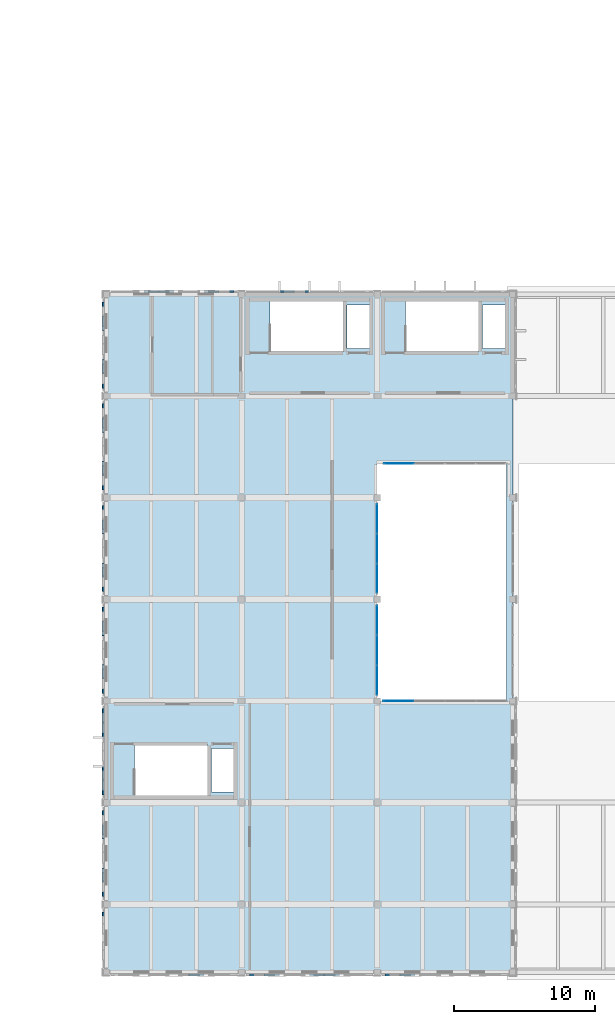
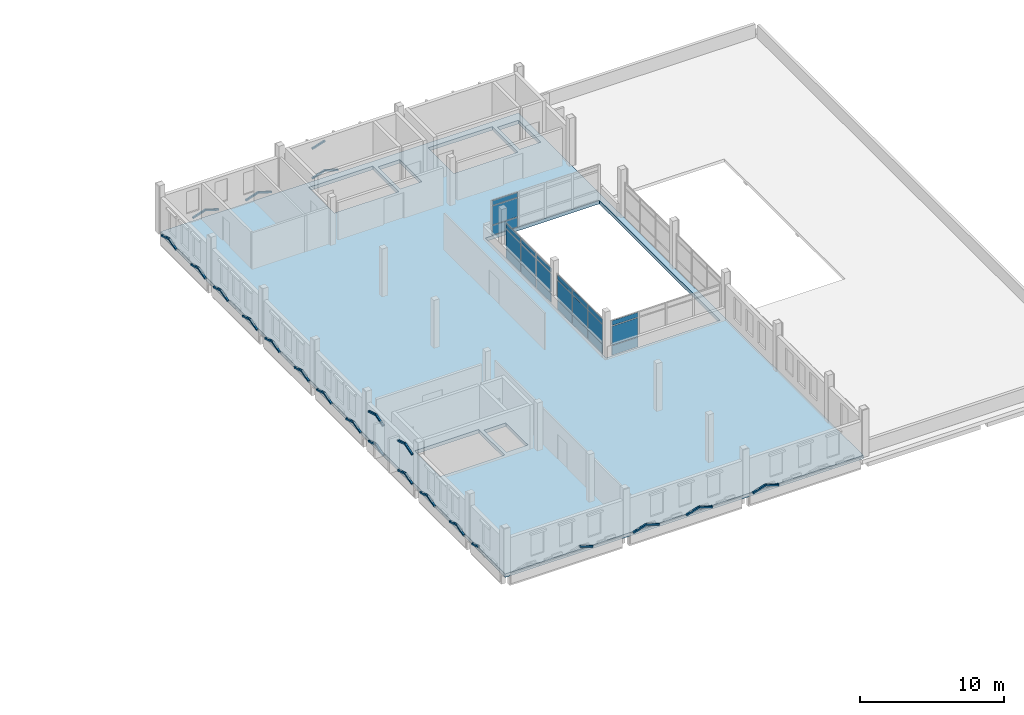
# One storey, part 27 of 50: 67 plates, 1 slab, 4 elements without a shape of their own.
"""IFC4 building model written with IfcOpenShell, lengths in metres."""

from ifc_helpers import new_model, si_unit, direction, frame, origin, origin_2d, place, context, subcontext, project, spatial, polyline, rectangle, hollow_rectangle, outline, extrude, material, layer, layer_set, material_profile, profile_set, type_object, element, aggregate, save


model = new_model("IFC4")

# Units and contexts
model_context = context("Model", 3, precision=1e-05, world=origin(), true_north=direction((0.0, 1.0)))
body_context = subcontext(model_context, "Body", "Model", "MODEL_VIEW")
ifc_project = project(units=[si_unit("LENGTHUNIT", "METRE"), si_unit("AREAUNIT", "SQUARE_METRE"), si_unit("VOLUMEUNIT", "CUBIC_METRE"), si_unit("PLANEANGLEUNIT", "RADIAN"), si_unit("MASSUNIT", "GRAM", prefix="KILO")], contexts=[model_context])

# Site, building, storey
site_placement = place(None, origin())
site = spatial("IfcSite", under=ifc_project, at=site_placement, CompositionType="ELEMENT")
building_placement = place(site_placement, origin())
building = spatial("IfcBuilding", under=site, at=building_placement, Name="Asteropetra Specialist Clinic", CompositionType="ELEMENT")
storey_placement = place(building_placement, frame((0.0, 0.0, 16.659912109375)))
storey = spatial("IfcBuildingStorey", under=building, at=storey_placement, Name="L04", CompositionType="ELEMENT", Elevation=16.659912109375)

# Plates
ifc_material_1 = material(Name="Chevron emerald aluminium 6063-T6", Category="aluminium")
ifc_material_profile = material_profile(ifc_material_1, hollow_rectangle(XDim=0.139892578125, YDim=0.139892578125, WallThickness=0.008056640625, InnerFilletRadius=0.008056640625, OuterFilletRadius=0.01611328125, at=origin_2d()), Name="SHS 140x140x8.0")
ifc_profile_set = profile_set([ifc_material_profile], Name="Chevron emerald aluminium 6063-T6")
plate_type_1 = type_object("IfcPlateType", Name="CHV-RIB-140", PredefinedType="SHEET", material=ifc_profile_set)
for number, where, z_axis, x_axis, name in (
    (1, (111.4638671875, -0.20947265625, 0.41552734375), (0.952035512318, 0.0, -0.305987554135), (0.0, 1.0, 0.0), "Chevron Facade Screen Fin CVR-3537"),
    (2, (114.635009765625, 48.20947265625, 0.080078125), (-0.952035512318, 0.0, 0.305987554135), (0.0, -1.0, 0.0), "Chevron Facade Screen Fin CVR-3538"),
    (3, (113.59130859375, 48.20947265625, 0.41552734375), (-0.952035512318, 0.0, -0.305987554135), (0.0, -1.0, 0.0), "Chevron Facade Screen Fin CVR-3539"),
    (4, (110.3798828125, 48.20947265625, 0.080078125), (-0.952035512318, 0.0, 0.305987554135), (0.0, -1.0, 0.0), "Chevron Facade Screen Fin CVR-3540"),
    (5, (109.336181640625, 48.20947265625, 0.41552734375), (-0.952035512318, 0.0, -0.305987554135), (0.0, -1.0, 0.0), "Chevron Facade Screen Fin CVR-3541"),
):
    element("IfcPlate", number, at=place(storey_placement, frame(where, z_axis=z_axis, x_axis=x_axis)), inside=storey, type_object=plate_type_1, Name=name, PredefinedType="SHEET", context=body_context, shape_type="SweptSolid", body=[
        extrude(hollow_rectangle(XDim=0.139892578125, YDim=0.139892578125, WallThickness=0.008056640625, InnerFilletRadius=0.008056640625, OuterFilletRadius=0.01611328125, at=origin_2d()), origin(), (0.0, 0.0, 1.0), 1.09619140625),
    ])
plate_1_placement = place(storey_placement, frame((115.764892578125, -0.20947265625, 0.080078125), z_axis=(0.952056356577, 0.0, 0.305922692689), x_axis=(0.0, 1.0, 0.0)))
element("IfcPlate", 6, at=plate_1_placement, inside=storey, type_object=plate_type_1, Name="Chevron Facade Screen Fin CVR-3542", PredefinedType="SHEET", context=body_context, shape_type="SweptSolid", body=[
    extrude(hollow_rectangle(XDim=0.139892578125, YDim=0.139892578125, WallThickness=0.008056640625, InnerFilletRadius=0.008056640625, OuterFilletRadius=0.01611328125, at=origin_2d()), origin(), (0.0, 0.0, 1.0), 1.096435546875),
])
for number, where, z_axis, x_axis, name in (
    (7, (116.808837890625, -0.20947265625, 0.41552734375), (0.952035512318, 0.0, -0.305987554135), (0.0, 1.0, 0.0), "Chevron Facade Screen Fin CVR-3543"),
    (8, (120.02001953125, -0.20947265625, 0.080078125), (0.952035512318, 0.0, 0.305987554135), (0.0, 1.0, 0.0), "Chevron Facade Screen Fin CVR-3544"),
    (9, (121.063720703125, -0.20947265625, 0.41552734375), (0.952035512318, 0.0, -0.305987554135), (0.0, 1.0, 0.0), "Chevron Facade Screen Fin CVR-3545"),
    (10, (119.97998046875, 48.20947265625, 0.080078125), (-0.952035512318, 0.0, 0.305987554135), (0.0, -1.0, 0.0), "Chevron Facade Screen Fin CVR-3550"),
    (11, (118.936279296875, 48.20947265625, 0.41552734375), (-0.952035512318, 0.0, -0.305987554135), (0.0, -1.0, 0.0), "Chevron Facade Screen Fin CVR-3551"),
    (12, (118.936279296875, 48.20947265625, 2.935546875), (-0.952035512318, 0.0, -0.305987554135), (0.0, -1.0, 0.0), "Chevron Facade Screen Fin CVR-3553"),
    (13, (125.364990234375, -0.20947265625, 0.080078125), (0.952035512318, 0.0, 0.305987554135), (0.0, 1.0, 0.0), "Chevron Facade Screen Fin CVR-3554"),
    (14, (126.40869140625, -0.20947265625, 0.41552734375), (0.952035512318, 0.0, -0.305987554135), (0.0, 1.0, 0.0), "Chevron Facade Screen Fin CVR-3555"),
):
    element("IfcPlate", number, at=place(storey_placement, frame(where, z_axis=z_axis, x_axis=x_axis)), inside=storey, type_object=plate_type_1, Name=name, PredefinedType="SHEET", context=body_context, shape_type="SweptSolid", body=[
        extrude(hollow_rectangle(XDim=0.139892578125, YDim=0.139892578125, WallThickness=0.008056640625, InnerFilletRadius=0.008056640625, OuterFilletRadius=0.01611328125, at=origin_2d()), origin(), (0.0, 0.0, 1.0), 1.09619140625),
    ])
plate_2_placement = place(storey_placement, frame((105.390380859375, 4.235107421875, 0.080078125), z_axis=(0.0, -0.951809904475, 0.306688613653), x_axis=(1.0, 0.0, 0.0)))
element("IfcPlate", 15, at=plate_2_placement, inside=storey, type_object=plate_type_1, Name="Chevron Facade Screen Fin CVR-3566", PredefinedType="SHEET", context=body_context, shape_type="SweptSolid", body=[
    extrude(hollow_rectangle(XDim=0.139892578125, YDim=0.139892578125, WallThickness=0.008056640625, InnerFilletRadius=0.008056640625, OuterFilletRadius=0.01611328125, at=origin_2d()), origin(), (0.0, 0.0, 1.0), 0.95361328125),
])
plate_3_placement = place(storey_placement, frame((105.390380859375, 11.43505859375, 0.080078125), z_axis=(0.0, -0.951982525722, 0.306152365205), x_axis=(1.0, 0.0, 0.0)))
element("IfcPlate", 16, at=plate_3_placement, inside=storey, type_object=plate_type_1, Name="Chevron Facade Screen Fin CVR-3570", PredefinedType="SHEET", context=body_context, shape_type="SweptSolid", body=[
    extrude(hollow_rectangle(XDim=0.139892578125, YDim=0.139892578125, WallThickness=0.008056640625, InnerFilletRadius=0.008056640625, OuterFilletRadius=0.01611328125, at=origin_2d()), origin(), (0.0, 0.0, 1.0), 1.048583984375),
])
for number, where, z_axis, x_axis, name in (
    (17, (105.390380859375, 10.436767578125, 0.401123046875), (0.0, -0.952004340095, -0.306084524994), (1.0, 0.0, 0.0), "Chevron Facade Screen Fin CVR-3571"),
    (18, (105.390380859375, 7.36181640625, 0.080078125), (0.0, -0.952004340095, 0.306084524994), (1.0, 0.0, 0.0), "Chevron Facade Screen Fin CVR-3572"),
):
    element("IfcPlate", number, at=place(storey_placement, frame(where, z_axis=z_axis, x_axis=x_axis)), inside=storey, type_object=plate_type_1, Name=name, PredefinedType="SHEET", context=body_context, shape_type="SweptSolid", body=[
        extrude(hollow_rectangle(XDim=0.139892578125, YDim=0.139892578125, WallThickness=0.008056640625, InnerFilletRadius=0.008056640625, OuterFilletRadius=0.01611328125, at=origin_2d()), origin(), (0.0, 0.0, 1.0), 1.048828125),
    ])
for number, where, z_axis, x_axis, name in (
    (19, (105.390380859375, 6.36328125, 0.401123046875), (0.0, -0.951982525722, -0.306152365205), (1.0, 0.0, 0.0), "Chevron Facade Screen Fin CVR-3573"),
    (20, (105.390380859375, 18.635009765625, 0.080078125), (0.0, -0.951982525722, 0.306152365205), (1.0, 0.0, 0.0), "Chevron Facade Screen Fin CVR-3578"),
):
    element("IfcPlate", number, at=place(storey_placement, frame(where, z_axis=z_axis, x_axis=x_axis)), inside=storey, type_object=plate_type_1, Name=name, PredefinedType="SHEET", context=body_context, shape_type="SweptSolid", body=[
        extrude(hollow_rectangle(XDim=0.139892578125, YDim=0.139892578125, WallThickness=0.008056640625, InnerFilletRadius=0.008056640625, OuterFilletRadius=0.01611328125, at=origin_2d()), origin(), (0.0, 0.0, 1.0), 1.048583984375),
    ])
plate_4_placement = place(storey_placement, frame((105.390380859375, 17.63671875, 0.401123046875), z_axis=(0.0, -0.952004340095, -0.306084524994), x_axis=(1.0, 0.0, 0.0)))
element("IfcPlate", 21, at=plate_4_placement, inside=storey, type_object=plate_type_1, Name="Chevron Facade Screen Fin CVR-3579", PredefinedType="SHEET", context=body_context, shape_type="SweptSolid", body=[
    extrude(hollow_rectangle(XDim=0.139892578125, YDim=0.139892578125, WallThickness=0.008056640625, InnerFilletRadius=0.008056640625, OuterFilletRadius=0.01611328125, at=origin_2d()), origin(), (0.0, 0.0, 1.0), 1.048828125),
])
plate_5_placement = place(storey_placement, frame((105.390380859375, 18.635009765625, 2.60009765625), z_axis=(0.0, -0.951982525722, 0.306152365205), x_axis=(1.0, 0.0, 0.0)))
element("IfcPlate", 22, at=plate_5_placement, inside=storey, type_object=plate_type_1, Name="Chevron Facade Screen Fin CVR-3580", PredefinedType="SHEET", context=body_context, shape_type="SweptSolid", body=[
    extrude(hollow_rectangle(XDim=0.139892578125, YDim=0.139892578125, WallThickness=0.008056640625, InnerFilletRadius=0.008056640625, OuterFilletRadius=0.01611328125, at=origin_2d()), origin(), (0.0, 0.0, 1.0), 1.048583984375),
])
for number, where, z_axis, x_axis, name in (
    (23, (105.390380859375, 17.63671875, 2.921142578125), (0.0, -0.952004340095, -0.306084524994), (1.0, 0.0, 0.0), "Chevron Facade Screen Fin CVR-3581"),
    (24, (105.390380859375, 14.561767578125, 0.080078125), (0.0, -0.952004340095, 0.306084524994), (1.0, 0.0, 0.0), "Chevron Facade Screen Fin CVR-3582"),
):
    element("IfcPlate", number, at=place(storey_placement, frame(where, z_axis=z_axis, x_axis=x_axis)), inside=storey, type_object=plate_type_1, Name=name, PredefinedType="SHEET", context=body_context, shape_type="SweptSolid", body=[
        extrude(hollow_rectangle(XDim=0.139892578125, YDim=0.139892578125, WallThickness=0.008056640625, InnerFilletRadius=0.008056640625, OuterFilletRadius=0.01611328125, at=origin_2d()), origin(), (0.0, 0.0, 1.0), 1.048828125),
    ])
plate_6_placement = place(storey_placement, frame((105.390380859375, 13.563232421875, 0.401123046875), z_axis=(0.0, -0.951982525722, -0.306152365205), x_axis=(1.0, 0.0, 0.0)))
element("IfcPlate", 25, at=plate_6_placement, inside=storey, type_object=plate_type_1, Name="Chevron Facade Screen Fin CVR-3583", PredefinedType="SHEET", context=body_context, shape_type="SweptSolid", body=[
    extrude(hollow_rectangle(XDim=0.139892578125, YDim=0.139892578125, WallThickness=0.008056640625, InnerFilletRadius=0.008056640625, OuterFilletRadius=0.01611328125, at=origin_2d()), origin(), (0.0, 0.0, 1.0), 1.048583984375),
])
plate_7_placement = place(storey_placement, frame((105.390380859375, 14.561767578125, 2.60009765625), z_axis=(0.0, -0.952004340095, 0.306084524994), x_axis=(1.0, 0.0, 0.0)))
element("IfcPlate", 26, at=plate_7_placement, inside=storey, type_object=plate_type_1, Name="Chevron Facade Screen Fin CVR-3584", PredefinedType="SHEET", context=body_context, shape_type="SweptSolid", body=[
    extrude(hollow_rectangle(XDim=0.139892578125, YDim=0.139892578125, WallThickness=0.008056640625, InnerFilletRadius=0.008056640625, OuterFilletRadius=0.01611328125, at=origin_2d()), origin(), (0.0, 0.0, 1.0), 1.048828125),
])
for number, where, z_axis, x_axis, name in (
    (27, (105.390380859375, 13.563232421875, 2.921142578125), (0.0, -0.951982525722, -0.306152365205), (1.0, 0.0, 0.0), "Chevron Facade Screen Fin CVR-3585"),
    (28, (105.390380859375, 25.8349609375, 0.080078125), (0.0, -0.951982525722, 0.306152365205), (1.0, 0.0, 0.0), "Chevron Facade Screen Fin CVR-3590"),
    (29, (105.390380859375, 24.836669921875, 0.401123046875), (0.0, -0.951982525722, -0.306152365205), (1.0, 0.0, 0.0), "Chevron Facade Screen Fin CVR-3591"),
):
    element("IfcPlate", number, at=place(storey_placement, frame(where, z_axis=z_axis, x_axis=x_axis)), inside=storey, type_object=plate_type_1, Name=name, PredefinedType="SHEET", context=body_context, shape_type="SweptSolid", body=[
        extrude(hollow_rectangle(XDim=0.139892578125, YDim=0.139892578125, WallThickness=0.008056640625, InnerFilletRadius=0.008056640625, OuterFilletRadius=0.01611328125, at=origin_2d()), origin(), (0.0, 0.0, 1.0), 1.048583984375),
    ])
plate_8_placement = place(storey_placement, frame((105.390380859375, 21.76171875, 0.080078125), z_axis=(0.0, -0.952004340095, 0.306084524994), x_axis=(1.0, 0.0, 0.0)))
element("IfcPlate", 30, at=plate_8_placement, inside=storey, type_object=plate_type_1, Name="Chevron Facade Screen Fin CVR-3592", PredefinedType="SHEET", context=body_context, shape_type="SweptSolid", body=[
    extrude(hollow_rectangle(XDim=0.139892578125, YDim=0.139892578125, WallThickness=0.008056640625, InnerFilletRadius=0.008056640625, OuterFilletRadius=0.01611328125, at=origin_2d()), origin(), (0.0, 0.0, 1.0), 1.048828125),
])
for number, where, z_axis, x_axis, name in (
    (31, (105.390380859375, 20.76318359375, 0.401123046875), (0.0, -0.951982525722, -0.306152365205), (1.0, 0.0, 0.0), "Chevron Facade Screen Fin CVR-3593"),
    (32, (105.390380859375, 33.034912109375, 0.080078125), (0.0, -0.951982525722, 0.306152365205), (1.0, 0.0, 0.0), "Chevron Facade Screen Fin CVR-3594"),
    (33, (105.390380859375, 32.03662109375, 0.401123046875), (0.0, -0.951982525722, -0.306152365205), (1.0, 0.0, 0.0), "Chevron Facade Screen Fin CVR-3595"),
    (34, (105.390380859375, 28.961669921875, 0.080078125), (0.0, -0.951982525722, 0.306152365205), (1.0, 0.0, 0.0), "Chevron Facade Screen Fin CVR-3596"),
    (35, (105.390380859375, 27.96337890625, 0.401123046875), (0.0, -0.951982525722, -0.306152365205), (1.0, 0.0, 0.0), "Chevron Facade Screen Fin CVR-3597"),
    (36, (105.390380859375, 40.235107421875, 0.080078125), (0.0, -0.951982525722, 0.306152365205), (1.0, 0.0, 0.0), "Chevron Facade Screen Fin CVR-3598"),
):
    element("IfcPlate", number, at=place(storey_placement, frame(where, z_axis=z_axis, x_axis=x_axis)), inside=storey, type_object=plate_type_1, Name=name, PredefinedType="SHEET", context=body_context, shape_type="SweptSolid", body=[
        extrude(hollow_rectangle(XDim=0.139892578125, YDim=0.139892578125, WallThickness=0.008056640625, InnerFilletRadius=0.008056640625, OuterFilletRadius=0.01611328125, at=origin_2d()), origin(), (0.0, 0.0, 1.0), 1.048583984375),
    ])
plate_9_placement = place(storey_placement, frame((105.390380859375, 39.23681640625, 0.401123046875), z_axis=(0.0, -0.952004340095, -0.306084524994), x_axis=(1.0, 0.0, 0.0)))
element("IfcPlate", 37, at=plate_9_placement, inside=storey, type_object=plate_type_1, Name="Chevron Facade Screen Fin CVR-3599", PredefinedType="SHEET", context=body_context, shape_type="SweptSolid", body=[
    extrude(hollow_rectangle(XDim=0.139892578125, YDim=0.139892578125, WallThickness=0.008056640625, InnerFilletRadius=0.008056640625, OuterFilletRadius=0.01611328125, at=origin_2d()), origin(), (0.0, 0.0, 1.0), 1.048828125),
])
for number, where, z_axis, x_axis, name in (
    (38, (105.390380859375, 36.16162109375, 0.080078125), (0.0, -0.951982525722, 0.306152365205), (1.0, 0.0, 0.0), "Chevron Facade Screen Fin CVR-3600"),
    (39, (105.390380859375, 35.163330078125, 0.401123046875), (0.0, -0.951982525722, -0.306152365205), (1.0, 0.0, 0.0), "Chevron Facade Screen Fin CVR-3601"),
    (40, (105.390380859375, 47.43505859375, 0.080078125), (0.0, -0.951982525722, 0.306152365205), (1.0, 0.0, 0.0), "Chevron Facade Screen Fin CVR-3602"),
):
    element("IfcPlate", number, at=place(storey_placement, frame(where, z_axis=z_axis, x_axis=x_axis)), inside=storey, type_object=plate_type_1, Name=name, PredefinedType="SHEET", context=body_context, shape_type="SweptSolid", body=[
        extrude(hollow_rectangle(XDim=0.139892578125, YDim=0.139892578125, WallThickness=0.008056640625, InnerFilletRadius=0.008056640625, OuterFilletRadius=0.01611328125, at=origin_2d()), origin(), (0.0, 0.0, 1.0), 1.048583984375),
    ])
for number, where, z_axis, x_axis, name in (
    (41, (105.390380859375, 46.436767578125, 0.401123046875), (0.0, -0.952004340095, -0.306084524994), (1.0, 0.0, 0.0), "Chevron Facade Screen Fin CVR-3603"),
    (42, (105.390380859375, 43.36181640625, 0.080078125), (0.0, -0.952004340095, 0.306084524994), (1.0, 0.0, 0.0), "Chevron Facade Screen Fin CVR-3604"),
):
    element("IfcPlate", number, at=place(storey_placement, frame(where, z_axis=z_axis, x_axis=x_axis)), inside=storey, type_object=plate_type_1, Name=name, PredefinedType="SHEET", context=body_context, shape_type="SweptSolid", body=[
        extrude(hollow_rectangle(XDim=0.139892578125, YDim=0.139892578125, WallThickness=0.008056640625, InnerFilletRadius=0.008056640625, OuterFilletRadius=0.01611328125, at=origin_2d()), origin(), (0.0, 0.0, 1.0), 1.048828125),
    ])
plate_10_placement = place(storey_placement, frame((105.390380859375, 42.36328125, 0.401123046875), z_axis=(0.0, -0.951982525722, -0.306152365205), x_axis=(1.0, 0.0, 0.0)))
element("IfcPlate", 43, at=plate_10_placement, inside=storey, type_object=plate_type_1, Name="Chevron Facade Screen Fin CVR-3605", PredefinedType="SHEET", context=body_context, shape_type="SweptSolid", body=[
    extrude(hollow_rectangle(XDim=0.139892578125, YDim=0.139892578125, WallThickness=0.008056640625, InnerFilletRadius=0.008056640625, OuterFilletRadius=0.01611328125, at=origin_2d()), origin(), (0.0, 0.0, 1.0), 1.048583984375),
])

# Curtain wall, plates
ifc_material_2 = material(Name="Aluminium and low-E glass", Category="aluminium")
ifc_layer_1 = layer(ifc_material_2, 0.14990234375)
ifc_layer_set_1 = layer_set([ifc_layer_1], Name="Aluminium and low-E glass")
curtain_wall_type_1 = type_object("IfcCurtainWallType", Name="CW-SYS-08", PredefinedType="USERDEFINED", material=ifc_layer_set_1)
curtain_wall_1_placement = place(storey_placement, origin())
curtain_wall_1 = element("IfcCurtainWall", 44, at=curtain_wall_1_placement, inside=storey, type_object=curtain_wall_type_1, Name="Curtain Wall CW-089", ObjectType="STICK GLAZED COLONNADE", PredefinedType="USERDEFINED")
ifc_material_3 = material(Name="Low-E acoustic double glazing", Category="glass")
ifc_layer_2 = layer(ifc_material_3, 0.031982421875)
ifc_layer_set_2 = layer_set([ifc_layer_2], Name="Low-E acoustic double glazing")
plate_type_2 = type_object("IfcPlateType", Name="CWP-GLZ-32", PredefinedType="CURTAIN_PANEL", material=ifc_layer_set_2)
plate_11_placement = place(storey_placement, frame((126.3037109375, 19.199951171875, 0.06005859375), z_axis=(0.0, 0.0, 1.0), x_axis=(1.0, 0.0, 0.0)))
plate_11 = element("IfcPlate", 45, at=plate_11_placement, type_object=plate_type_2, Name="CW-089 panel 1.1", PredefinedType="CURTAIN_PANEL", context=body_context, shape_type="SweptSolid", body=[
    extrude(rectangle(XDim=2.117431640625, YDim=0.031982421875, at=origin_2d()), origin(), (0.0, 0.0, 1.0), 0.81005859375),
])
plate_12_placement = place(storey_placement, frame((126.3037109375, 19.199951171875, 0.929931640625), z_axis=(0.0, 0.0, 1.0), x_axis=(1.0, 0.0, 0.0)))
plate_12 = element("IfcPlate", 46, at=plate_12_placement, type_object=plate_type_2, Name="CW-089 panel 1.2", PredefinedType="CURTAIN_PANEL", context=body_context, shape_type="SweptSolid", body=[
    extrude(rectangle(XDim=2.117431640625, YDim=0.031982421875, at=origin_2d()), origin(), (0.0, 0.0, 1.0), 1.60009765625),
])
plate_13_placement = place(storey_placement, frame((126.3037109375, 19.199951171875, 2.59033203125), z_axis=(0.0, 0.0, 1.0), x_axis=(1.0, 0.0, 0.0)))
plate_13 = element("IfcPlate", 47, at=plate_13_placement, type_object=plate_type_2, Name="CW-089 panel 1.3", PredefinedType="CURTAIN_PANEL", context=body_context, shape_type="SweptSolid", body=[
    extrude(rectangle(XDim=2.117431640625, YDim=0.031982421875, at=origin_2d()), origin(), (0.0, 0.0, 1.0), 0.409912109375),
])
aggregate(curtain_wall_1, [plate_11, plate_12, plate_13])

ifc_material_4 = material(Name="Aluminium and low-E glass", Category="aluminium")
ifc_layer_3 = layer(ifc_material_4, 0.14990234375)
ifc_layer_set_3 = layer_set([ifc_layer_3], Name="Aluminium and low-E glass")
curtain_wall_type_2 = type_object("IfcCurtainWallType", Name="CW-SYS-11", PredefinedType="USERDEFINED", material=ifc_layer_set_3)
curtain_wall_2_placement = place(storey_placement, origin())
curtain_wall_2 = element("IfcCurtainWall", 48, at=curtain_wall_2_placement, inside=storey, type_object=curtain_wall_type_2, Name="Curtain Wall CW-093", ObjectType="STICK GLAZED COLONNADE", PredefinedType="USERDEFINED")
plate_14_placement = place(storey_placement, frame((124.800048828125, 32.12451171875, 0.074951171875), z_axis=(0.0, 0.0, 1.0), x_axis=(0.0, -1.0, 0.0)))
plate_14 = element("IfcPlate", 49, at=plate_14_placement, type_object=plate_type_2, Name="CW-093 panel 1.1", PredefinedType="CURTAIN_PANEL", context=body_context, shape_type="SweptSolid", body=[
    extrude(rectangle(XDim=2.03076171875, YDim=0.031982421875, at=origin_2d()), origin(), (0.0, 0.0, 1.0), 0.78759765625),
])
plate_15_placement = place(storey_placement, frame((124.800048828125, 32.12451171875, 0.9375), z_axis=(0.0, 0.0, 1.0), x_axis=(0.0, -1.0, 0.0)))
plate_15 = element("IfcPlate", 50, at=plate_15_placement, type_object=plate_type_2, Name="CW-093 panel 1.2", PredefinedType="CURTAIN_PANEL", context=body_context, shape_type="SweptSolid", body=[
    extrude(rectangle(XDim=2.03076171875, YDim=0.031982421875, at=origin_2d()), origin(), (0.0, 0.0, 1.0), 1.5849609375),
])
plate_16_placement = place(storey_placement, frame((124.800048828125, 32.12451171875, 2.59765625), z_axis=(0.0, 0.0, 1.0), x_axis=(0.0, -1.0, 0.0)))
plate_16 = element("IfcPlate", 51, at=plate_16_placement, type_object=plate_type_2, Name="CW-093 panel 1.3", PredefinedType="CURTAIN_PANEL", context=body_context, shape_type="SweptSolid", body=[
    extrude(rectangle(XDim=2.03076171875, YDim=0.031982421875, at=origin_2d()), origin(), (0.0, 0.0, 1.0), 0.387451171875),
])
plate_17_placement = place(storey_placement, frame((124.800048828125, 30.0, 0.074951171875), z_axis=(0.0, 0.0, 1.0), x_axis=(0.0, -1.0, 0.0)))
plate_17 = element("IfcPlate", 52, at=plate_17_placement, type_object=plate_type_2, Name="CW-093 panel 2.1", PredefinedType="CURTAIN_PANEL", context=body_context, shape_type="SweptSolid", body=[
    extrude(rectangle(XDim=2.068359375, YDim=0.031982421875, at=origin_2d()), origin(), (0.0, 0.0, 1.0), 0.78759765625),
])
plate_18_placement = place(storey_placement, frame((124.800048828125, 30.0, 0.9375), z_axis=(0.0, 0.0, 1.0), x_axis=(0.0, -1.0, 0.0)))
plate_18 = element("IfcPlate", 53, at=plate_18_placement, type_object=plate_type_2, Name="CW-093 panel 2.2", PredefinedType="CURTAIN_PANEL", context=body_context, shape_type="SweptSolid", body=[
    extrude(rectangle(XDim=2.068359375, YDim=0.031982421875, at=origin_2d()), origin(), (0.0, 0.0, 1.0), 1.5849609375),
])
plate_19_placement = place(storey_placement, frame((124.800048828125, 30.0, 2.59765625), z_axis=(0.0, 0.0, 1.0), x_axis=(0.0, -1.0, 0.0)))
plate_19 = element("IfcPlate", 54, at=plate_19_placement, type_object=plate_type_2, Name="CW-093 panel 2.3", PredefinedType="CURTAIN_PANEL", context=body_context, shape_type="SweptSolid", body=[
    extrude(rectangle(XDim=2.068359375, YDim=0.031982421875, at=origin_2d()), origin(), (0.0, 0.0, 1.0), 0.387451171875),
])
plate_20_placement = place(storey_placement, frame((124.800048828125, 27.87548828125, 0.074951171875), z_axis=(0.0, 0.0, 1.0), x_axis=(0.0, -1.0, 0.0)))
plate_20 = element("IfcPlate", 55, at=plate_20_placement, type_object=plate_type_2, Name="CW-093 panel 3.1", PredefinedType="CURTAIN_PANEL", context=body_context, shape_type="SweptSolid", body=[
    extrude(rectangle(XDim=2.03076171875, YDim=0.031982421875, at=origin_2d()), origin(), (0.0, 0.0, 1.0), 0.78759765625),
])
plate_21_placement = place(storey_placement, frame((124.800048828125, 27.87548828125, 0.9375), z_axis=(0.0, 0.0, 1.0), x_axis=(0.0, -1.0, 0.0)))
plate_21 = element("IfcPlate", 56, at=plate_21_placement, type_object=plate_type_2, Name="CW-093 panel 3.2", PredefinedType="CURTAIN_PANEL", context=body_context, shape_type="SweptSolid", body=[
    extrude(rectangle(XDim=2.03076171875, YDim=0.031982421875, at=origin_2d()), origin(), (0.0, 0.0, 1.0), 1.5849609375),
])
plate_22_placement = place(storey_placement, frame((124.800048828125, 27.87548828125, 2.59765625), z_axis=(0.0, 0.0, 1.0), x_axis=(0.0, -1.0, 0.0)))
plate_22 = element("IfcPlate", 57, at=plate_22_placement, type_object=plate_type_2, Name="CW-093 panel 3.3", PredefinedType="CURTAIN_PANEL", context=body_context, shape_type="SweptSolid", body=[
    extrude(rectangle(XDim=2.03076171875, YDim=0.031982421875, at=origin_2d()), origin(), (0.0, 0.0, 1.0), 0.387451171875),
])
aggregate(curtain_wall_2, [plate_14, plate_15, plate_16, plate_17, plate_18, plate_19, plate_20, plate_21, plate_22])

ifc_material_5 = material(Name="Aluminium and low-E glass", Category="aluminium")
ifc_layer_4 = layer(ifc_material_5, 0.135009765625)
ifc_layer_set_4 = layer_set([ifc_layer_4], Name="Aluminium and low-E glass")
curtain_wall_type_3 = type_object("IfcCurtainWallType", Name="CW-SYS-09", PredefinedType="USERDEFINED", material=ifc_layer_set_4)
curtain_wall_3_placement = place(storey_placement, origin())
curtain_wall_3 = element("IfcCurtainWall", 58, at=curtain_wall_3_placement, inside=storey, type_object=curtain_wall_type_3, Name="Curtain Wall CW-090", ObjectType="STICK GLAZED COLONNADE", PredefinedType="USERDEFINED")
ifc_material_6 = material(Name="Solar-control triple glazing", Category="glass")
ifc_layer_5 = layer(ifc_material_6, 0.035888671875)
ifc_layer_set_5 = layer_set([ifc_layer_5], Name="Solar-control triple glazing")
plate_type_3 = type_object("IfcPlateType", Name="CWP-GLZ-36", PredefinedType="CURTAIN_PANEL", material=ifc_layer_set_5)
plate_23_placement = place(storey_placement, frame((126.3486328125, 36.0, 0.074951171875), z_axis=(0.0, 0.0, 1.0), x_axis=(-1.0, 0.0, 0.0)))
plate_23 = element("IfcPlate", 59, at=plate_23_placement, type_object=plate_type_3, Name="CW-090 panel 4.1", PredefinedType="CURTAIN_PANEL", context=body_context, shape_type="SweptSolid", body=[
    extrude(rectangle(XDim=2.0673828125, YDim=0.035888671875, at=origin_2d()), origin(), (0.0, 0.0, 1.0), 0.78759765625),
])
plate_24_placement = place(storey_placement, frame((126.3486328125, 36.0, 0.9375), z_axis=(0.0, 0.0, 1.0), x_axis=(-1.0, 0.0, 0.0)))
plate_24 = element("IfcPlate", 60, at=plate_24_placement, type_object=plate_type_3, Name="CW-090 panel 4.2", PredefinedType="CURTAIN_PANEL", context=body_context, shape_type="SweptSolid", body=[
    extrude(rectangle(XDim=2.0673828125, YDim=0.035888671875, at=origin_2d()), origin(), (0.0, 0.0, 1.0), 1.5849609375),
])
plate_25_placement = place(storey_placement, frame((126.3486328125, 36.0, 2.59765625), z_axis=(0.0, 0.0, 1.0), x_axis=(-1.0, 0.0, 0.0)))
plate_25 = element("IfcPlate", 61, at=plate_25_placement, type_object=plate_type_3, Name="CW-090 panel 4.3", PredefinedType="CURTAIN_PANEL", context=body_context, shape_type="SweptSolid", body=[
    extrude(rectangle(XDim=2.0673828125, YDim=0.035888671875, at=origin_2d()), origin(), (0.0, 0.0, 1.0), 0.387451171875),
])
aggregate(curtain_wall_3, [plate_23, plate_24, plate_25])

ifc_material_7 = material(Name="Aluminium and low-E glass", Category="aluminium")
ifc_layer_6 = layer(ifc_material_7, 0.179931640625)
ifc_layer_set_6 = layer_set([ifc_layer_6], Name="Aluminium and low-E glass")
curtain_wall_type_4 = type_object("IfcCurtainWallType", Name="CW-SYS-10", PredefinedType="USERDEFINED", material=ifc_layer_set_6)
curtain_wall_4_placement = place(storey_placement, origin())
curtain_wall_4 = element("IfcCurtainWall", 62, at=curtain_wall_4_placement, inside=storey, type_object=curtain_wall_type_4, Name="Curtain Wall CW-091", ObjectType="STICK GLAZED COLONNADE", PredefinedType="USERDEFINED")
ifc_material_8 = material(Name="Laminated skylight glazing", Category="glass")
ifc_layer_7 = layer(ifc_material_8, 0.0400390625)
ifc_layer_set_7 = layer_set([ifc_layer_7], Name="Laminated skylight glazing")
plate_type_4 = type_object("IfcPlateType", Name="CWP-GLZ-40", PredefinedType="CURTAIN_PANEL", material=ifc_layer_set_7)
plate_26_placement = place(storey_placement, frame((124.800048828125, 24.927001953125, 0.06494140625), z_axis=(0.0, 0.0, 1.0), x_axis=(0.0, -1.0, 0.0)))
plate_26 = element("IfcPlate", 63, at=plate_26_placement, type_object=plate_type_4, Name="CW-091 panel 1.1", PredefinedType="CURTAIN_PANEL", context=body_context, shape_type="SweptSolid", body=[
    extrude(rectangle(XDim=2.0458984375, YDim=0.0400390625, at=origin_2d()), origin(), (0.0, 0.0, 1.0), 0.802490234375),
])
plate_27_placement = place(storey_placement, frame((124.800048828125, 24.927001953125, 0.9326171875), z_axis=(0.0, 0.0, 1.0), x_axis=(0.0, -1.0, 0.0)))
plate_27 = element("IfcPlate", 64, at=plate_27_placement, type_object=plate_type_4, Name="CW-091 panel 1.2", PredefinedType="CURTAIN_PANEL", context=body_context, shape_type="SweptSolid", body=[
    extrude(rectangle(XDim=2.0458984375, YDim=0.0400390625, at=origin_2d()), origin(), (0.0, 0.0, 1.0), 1.594970703125),
])
plate_28_placement = place(storey_placement, frame((124.800048828125, 24.927001953125, 2.5927734375), z_axis=(0.0, 0.0, 1.0), x_axis=(0.0, -1.0, 0.0)))
plate_28 = element("IfcPlate", 65, at=plate_28_placement, type_object=plate_type_4, Name="CW-091 panel 1.3", PredefinedType="CURTAIN_PANEL", context=body_context, shape_type="SweptSolid", body=[
    extrude(rectangle(XDim=2.0458984375, YDim=0.0400390625, at=origin_2d()), origin(), (0.0, 0.0, 1.0), 0.402587890625),
])
plate_29_placement = place(storey_placement, frame((124.800048828125, 22.800048828125, 0.06494140625), z_axis=(0.0, 0.0, 1.0), x_axis=(0.0, -1.0, 0.0)))
plate_29 = element("IfcPlate", 66, at=plate_29_placement, type_object=plate_type_4, Name="CW-091 panel 2.1", PredefinedType="CURTAIN_PANEL", context=body_context, shape_type="SweptSolid", body=[
    extrude(rectangle(XDim=2.078369140625, YDim=0.0400390625, at=origin_2d()), origin(), (0.0, 0.0, 1.0), 0.802490234375),
])
plate_30_placement = place(storey_placement, frame((124.800048828125, 22.800048828125, 0.9326171875), z_axis=(0.0, 0.0, 1.0), x_axis=(0.0, -1.0, 0.0)))
plate_30 = element("IfcPlate", 67, at=plate_30_placement, type_object=plate_type_4, Name="CW-091 panel 2.2", PredefinedType="CURTAIN_PANEL", context=body_context, shape_type="SweptSolid", body=[
    extrude(rectangle(XDim=2.078369140625, YDim=0.0400390625, at=origin_2d()), origin(), (0.0, 0.0, 1.0), 1.594970703125),
])
plate_31_placement = place(storey_placement, frame((124.800048828125, 22.800048828125, 2.5927734375), z_axis=(0.0, 0.0, 1.0), x_axis=(0.0, -1.0, 0.0)))
plate_31 = element("IfcPlate", 68, at=plate_31_placement, type_object=plate_type_4, Name="CW-091 panel 2.3", PredefinedType="CURTAIN_PANEL", context=body_context, shape_type="SweptSolid", body=[
    extrude(rectangle(XDim=2.078369140625, YDim=0.0400390625, at=origin_2d()), origin(), (0.0, 0.0, 1.0), 0.402587890625),
])
plate_32_placement = place(storey_placement, frame((124.800048828125, 20.6728515625, 0.06494140625), z_axis=(0.0, 0.0, 1.0), x_axis=(0.0, -1.0, 0.0)))
plate_32 = element("IfcPlate", 69, at=plate_32_placement, type_object=plate_type_4, Name="CW-091 panel 3.1", PredefinedType="CURTAIN_PANEL", context=body_context, shape_type="SweptSolid", body=[
    extrude(rectangle(XDim=2.0458984375, YDim=0.0400390625, at=origin_2d()), origin(), (0.0, 0.0, 1.0), 0.802490234375),
])
plate_33_placement = place(storey_placement, frame((124.800048828125, 20.6728515625, 0.9326171875), z_axis=(0.0, 0.0, 1.0), x_axis=(0.0, -1.0, 0.0)))
plate_33 = element("IfcPlate", 70, at=plate_33_placement, type_object=plate_type_4, Name="CW-091 panel 3.2", PredefinedType="CURTAIN_PANEL", context=body_context, shape_type="SweptSolid", body=[
    extrude(rectangle(XDim=2.0458984375, YDim=0.0400390625, at=origin_2d()), origin(), (0.0, 0.0, 1.0), 1.594970703125),
])
plate_34_placement = place(storey_placement, frame((124.800048828125, 20.6728515625, 2.5927734375), z_axis=(0.0, 0.0, 1.0), x_axis=(0.0, -1.0, 0.0)))
plate_34 = element("IfcPlate", 71, at=plate_34_placement, type_object=plate_type_4, Name="CW-091 panel 3.3", PredefinedType="CURTAIN_PANEL", context=body_context, shape_type="SweptSolid", body=[
    extrude(rectangle(XDim=2.0458984375, YDim=0.0400390625, at=origin_2d()), origin(), (0.0, 0.0, 1.0), 0.402587890625),
])
aggregate(curtain_wall_4, [plate_26, plate_27, plate_28, plate_29, plate_30, plate_31, plate_32, plate_33, plate_34])

# Slab
ifc_material_9 = material(Name="Concrete C35/45", Category="concrete")
ifc_layer_8 = layer(ifc_material_9, 0.300048828125)
ifc_layer_set_8 = layer_set([ifc_layer_8], Name="Concrete C35/45")
slab_type = type_object("IfcSlabType", Name="SLB-FLR-300", PredefinedType="FLOOR", material=ifc_layer_set_8)
slab_placement = place(storey_placement, frame((0.0, 0.0, -0.2998046875)))
element("IfcSlab", 72, at=slab_placement, inside=storey, type_object=slab_type, Name="Slab V6 L04", PredefinedType="FLOOR", context=body_context, shape_type="SweptSolid", body=[
    extrude(outline(polyline([(105.60009765625, 0.0), (134.39990234375, 0.0), (134.39990234375, 48.0), (105.60009765625, 48.0), (105.60009765625, 0.0)]), holes=[polyline([(124.800048828125, 19.199951171875), (133.949951171875, 19.199951171875), (133.949951171875, 36.0), (124.800048828125, 36.0), (124.800048828125, 19.199951171875)]), polyline([(107.60009765625, 12.52001953125), (112.780029296875, 12.52001953125), (112.780029296875, 16.10009765625), (107.60009765625, 16.10009765625), (107.60009765625, 12.52001953125)]), polyline([(113.050048828125, 12.77001953125), (114.800048828125, 12.77001953125), (114.800048828125, 15.85009765625), (113.050048828125, 15.85009765625), (113.050048828125, 12.77001953125)]), polyline([(126.800048828125, 43.89990234375), (131.97998046875, 43.89990234375), (131.97998046875, 47.47998046875), (126.800048828125, 47.47998046875), (126.800048828125, 43.89990234375)]), polyline([(132.25, 44.14990234375), (133.949951171875, 44.14990234375), (133.949951171875, 47.22998046875), (132.25, 47.22998046875), (132.25, 44.14990234375)]), polyline([(117.199951171875, 43.89990234375), (122.3798828125, 43.89990234375), (122.3798828125, 47.47998046875), (117.199951171875, 47.47998046875), (117.199951171875, 43.89990234375)]), polyline([(122.64990234375, 44.14990234375), (124.39990234375, 44.14990234375), (124.39990234375, 47.22998046875), (122.64990234375, 47.22998046875), (122.64990234375, 44.14990234375)])]), origin(), (0.0, 0.0, 1.0), 0.2998046875),
])

save(model, "model.ifc")
